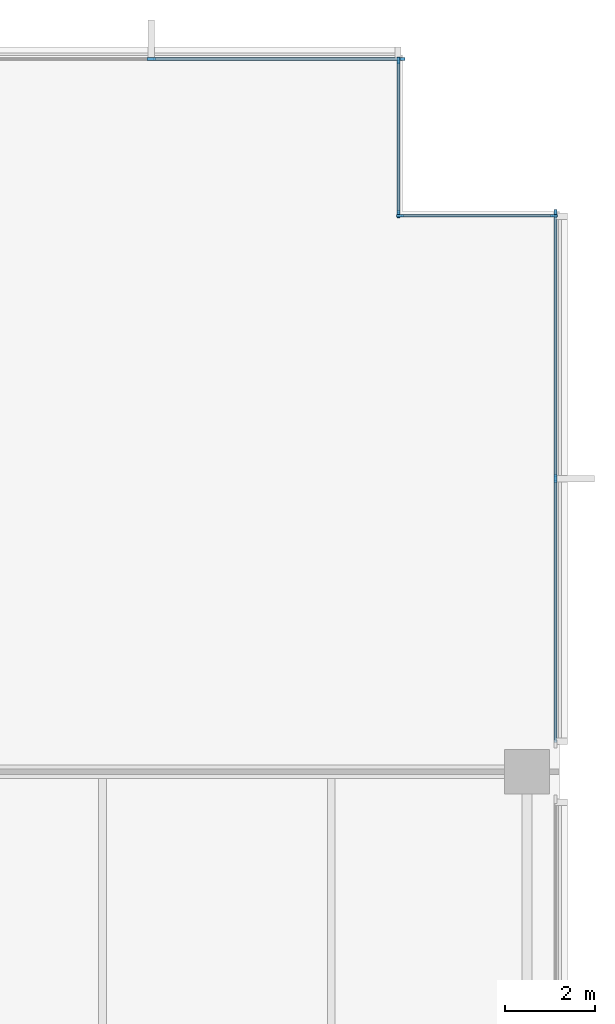
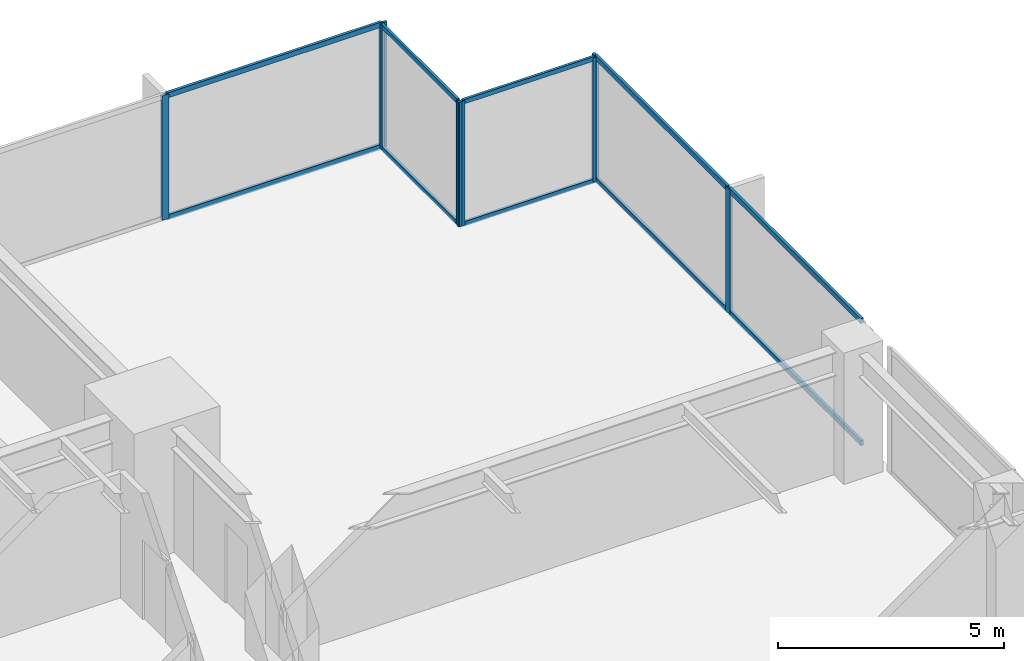
# One storey, part 7 of 16: 18 members, 4 elements without a shape of their own.
"""IFC4 building model written with IfcOpenShell, lengths in metres."""

from ifc_helpers import new_model, si_unit, direction, frame, origin, origin_2d, place, context, subcontext, project, spatial, rectangle, extrude, material, layer, layer_set, material_profile, profile_set, type_object, element, aggregate, save


model = new_model("IFC4")

# Units and contexts
model_context = context("Model", 3, precision=1e-05, world=origin(), true_north=direction((0.0, 1.0)))
body_context = subcontext(model_context, "Body", "Model", "MODEL_VIEW")
ifc_project = project(units=[si_unit("LENGTHUNIT", "METRE"), si_unit("AREAUNIT", "SQUARE_METRE"), si_unit("VOLUMEUNIT", "CUBIC_METRE"), si_unit("PLANEANGLEUNIT", "RADIAN"), si_unit("MASSUNIT", "GRAM", prefix="KILO")], contexts=[model_context])

# Site, building, storey
site_placement = place(None, origin())
site = spatial("IfcSite", under=ifc_project, at=site_placement, CompositionType="ELEMENT")
building_placement = place(site_placement, origin())
building = spatial("IfcBuilding", under=site, at=building_placement, Name="Kinhvarn Gate Tower", CompositionType="ELEMENT")
storey_placement = place(building_placement, frame((0.0, 0.0, 25.60009765625)))
storey = spatial("IfcBuildingStorey", under=building, at=storey_placement, Name="L05", CompositionType="ELEMENT", Elevation=25.60009765625)

# Curtain wall, members
ifc_material = material(Name="Anodised aluminium AW-6063", Category="aluminium")
ifc_layer_1 = layer(ifc_material, 0.179931640625)
ifc_layer_set_1 = layer_set([ifc_layer_1], Name="Anodised aluminium AW-6063")
curtain_wall_type_1 = type_object("IfcCurtainWallType", Name="CW-SYS-4", PredefinedType="NOTDEFINED", material=ifc_layer_set_1)
curtain_wall_1_placement = place(storey_placement, origin())
curtain_wall_1 = element("IfcCurtainWall", 1, at=curtain_wall_1_placement, inside=storey, type_object=curtain_wall_type_1, Name="Curtain Wall CW4 (L05)", PredefinedType="NOTDEFINED")
ifc_material_profile_1 = material_profile(ifc_material, rectangle(XDim=0.06494140625, YDim=0.159912109375, at=origin_2d()), Name="ALU 65x160")
ifc_profile_set_1 = profile_set([ifc_material_profile_1], Name="Anodised aluminium AW-6063")
member_type_1 = type_object("IfcMemberType", Name="CW-MUL-160", PredefinedType="MULLION", material=ifc_profile_set_1)
member_1_placement = place(storey_placement, frame((53.37744140625, 44.409912109375, 0.0), z_axis=(0.0, 0.0, 1.0), x_axis=(0.0, -1.0, 0.0)))
member_1 = element("IfcMember", 2, at=member_1_placement, type_object=member_type_1, Name="CW4 mullion 1", PredefinedType="MULLION", context=body_context, shape_type="SweptSolid", body=[
    extrude(rectangle(XDim=0.06494140625, YDim=0.159912109375, at=origin_2d()), origin(), (0.0, 0.0, 1.0), 3.369873046875),
])
member_2_placement = place(storey_placement, frame((49.9423828125, 44.409912109375, 0.0), z_axis=(0.0, 0.0, 1.0), x_axis=(0.0, -1.0, 0.0)))
member_2 = element("IfcMember", 3, at=member_2_placement, type_object=member_type_1, Name="CW4 mullion 2", PredefinedType="MULLION", context=body_context, shape_type="SweptSolid", body=[
    extrude(rectangle(XDim=0.06494140625, YDim=0.159912109375, at=origin_2d()), origin(), (0.0, 0.0, 1.0), 3.369873046875),
])

curtain_wall_2_placement = place(storey_placement, origin())
curtain_wall_2 = element("IfcCurtainWall", 4, at=curtain_wall_2_placement, inside=storey, type_object=curtain_wall_type_1, Name="Curtain Wall CW4 (L05)", PredefinedType="NOTDEFINED")
member_3_placement = place(storey_placement, frame((49.909912109375, 44.4423828125, 0.0), z_axis=(0.0, 0.0, 1.0), x_axis=(-1.0, 0.0, 0.0)))
member_3 = element("IfcMember", 5, at=member_3_placement, type_object=member_type_1, Name="CW4 mullion 1", PredefinedType="MULLION", context=body_context, shape_type="SweptSolid", body=[
    extrude(rectangle(XDim=0.06494140625, YDim=0.159912109375, at=origin_2d()), origin(), (0.0, 0.0, 1.0), 3.369873046875),
])
member_4_placement = place(storey_placement, frame((49.909912109375, 47.87744140625, 0.0), z_axis=(0.0, 0.0, 1.0), x_axis=(-1.0, 0.0, 0.0)))
member_4 = element("IfcMember", 6, at=member_4_placement, type_object=member_type_1, Name="CW4 mullion 2", PredefinedType="MULLION", context=body_context, shape_type="SweptSolid", body=[
    extrude(rectangle(XDim=0.06494140625, YDim=0.159912109375, at=origin_2d()), origin(), (0.0, 0.0, 1.0), 3.369873046875),
])

ifc_layer_2 = layer(ifc_material, 0.179931640625)
ifc_layer_set_2 = layer_set([ifc_layer_2], Name="Anodised aluminium AW-6063")
curtain_wall_type_2 = type_object("IfcCurtainWallType", Name="CW-SYS-2", PredefinedType="NOTDEFINED", material=ifc_layer_set_2)
curtain_wall_3_placement = place(storey_placement, origin())
curtain_wall_3 = element("IfcCurtainWall", 7, at=curtain_wall_3_placement, inside=storey, type_object=curtain_wall_type_2, Name="Curtain Wall CW2 (L05)", PredefinedType="NOTDEFINED")
ifc_material_profile_2 = material_profile(ifc_material, rectangle(XDim=0.070068359375, YDim=0.179931640625, at=origin_2d()), Name="ALU 70x180")
ifc_profile_set_2 = profile_set([ifc_material_profile_2], Name="Anodised aluminium AW-6063")
member_type_2 = type_object("IfcMemberType", Name="CW-MUL-180", PredefinedType="MULLION", material=ifc_profile_set_2)
member_5_placement = place(storey_placement, frame((49.965087890625, 47.909912109375, 0.0), z_axis=(0.0, 0.0, 1.0), x_axis=(0.0, -1.0, 0.0)))
member_5 = element("IfcMember", 8, at=member_5_placement, type_object=member_type_2, Name="CW2 mullion 1", PredefinedType="MULLION", context=body_context, shape_type="SweptSolid", body=[
    extrude(rectangle(XDim=0.070068359375, YDim=0.179931640625, at=origin_2d()), origin(), (0.0, 0.0, 1.0), 3.369873046875),
])
member_6_placement = place(storey_placement, frame((44.389892578125, 47.909912109375, 0.0), z_axis=(0.0, 0.0, 1.0), x_axis=(0.0, -1.0, 0.0)))
member_6 = element("IfcMember", 9, at=member_6_placement, type_object=member_type_2, Name="CW2 mullion 2", PredefinedType="MULLION", context=body_context, shape_type="SweptSolid", body=[
    extrude(rectangle(XDim=0.070068359375, YDim=0.179931640625, at=origin_2d()), origin(), (0.0, 0.0, 1.0), 3.369873046875),
])

curtain_wall_4_placement = place(storey_placement, origin())
curtain_wall_4 = element("IfcCurtainWall", 10, at=curtain_wall_4_placement, inside=storey, type_object=curtain_wall_type_2, Name="Curtain Wall CW2 (L05)", PredefinedType="NOTDEFINED")
member_7_placement = place(storey_placement, frame((53.409912109375, 38.5400390625, 0.0), z_axis=(0.0, 0.0, 1.0), x_axis=(-1.0, 0.0, 0.0)))
member_7 = element("IfcMember", 11, at=member_7_placement, type_object=member_type_2, Name="CW2 mullion 2", PredefinedType="MULLION", context=body_context, shape_type="SweptSolid", body=[
    extrude(rectangle(XDim=0.070068359375, YDim=0.179931640625, at=origin_2d()), origin(), (0.0, 0.0, 1.0), 3.369873046875),
])
member_8_placement = place(storey_placement, frame((53.409912109375, 44.465087890625, 0.0), z_axis=(0.0, 0.0, 1.0), x_axis=(-1.0, 0.0, 0.0)))
member_8 = element("IfcMember", 12, at=member_8_placement, type_object=member_type_2, Name="CW2 mullion 3", PredefinedType="MULLION", context=body_context, shape_type="SweptSolid", body=[
    extrude(rectangle(XDim=0.070068359375, YDim=0.179931640625, at=origin_2d()), origin(), (0.0, 0.0, 1.0), 3.369873046875),
])

# Member
ifc_material_profile_3 = material_profile(ifc_material, rectangle(XDim=0.06494140625, YDim=0.1201171875, at=origin_2d()), Name="ALU 65x120")
ifc_profile_set_3 = profile_set([ifc_material_profile_3], Name="Anodised aluminium AW-6063")
member_type_3 = type_object("IfcMemberType", Name="CW-TRN-120", PredefinedType="USERDEFINED", material=ifc_profile_set_3)
member_9_placement = place(storey_placement, frame((53.344970703125, 44.409912109375, 0.032470703125), z_axis=(-1.0, 0.0, 0.0), x_axis=(0.0, -1.0, 0.0)))
member_9 = element("IfcMember", 13, at=member_9_placement, type_object=member_type_3, Name="CW4 transom 1.1", ObjectType="TRANSOM", PredefinedType="USERDEFINED", context=body_context, shape_type="SweptSolid", body=[
    extrude(rectangle(XDim=0.06494140625, YDim=0.1201171875, at=origin_2d()), origin(), (0.0, 0.0, 1.0), 3.369873046875),
])

member_10_placement = place(storey_placement, frame((53.344970703125, 44.409912109375, 3.33740234375), z_axis=(-1.0, 0.0, 0.0), x_axis=(0.0, -1.0, 0.0)))
member_10 = element("IfcMember", 14, at=member_10_placement, type_object=member_type_3, Name="CW4 transom 1.2", ObjectType="TRANSOM", PredefinedType="USERDEFINED", context=body_context, shape_type="SweptSolid", body=[
    extrude(rectangle(XDim=0.06494140625, YDim=0.1201171875, at=origin_2d()), origin(), (0.0, 0.0, 1.0), 3.369873046875),
])

aggregate(curtain_wall_1, [member_1, member_2, member_9, member_10])

member_11_placement = place(storey_placement, frame((49.909912109375, 44.47509765625, 0.032470703125), z_axis=(0.0, 1.0, 0.0), x_axis=(-1.0, 0.0, 0.0)))
member_11 = element("IfcMember", 15, at=member_11_placement, type_object=member_type_3, Name="CW4 transom 1.1", ObjectType="TRANSOM", PredefinedType="USERDEFINED", context=body_context, shape_type="SweptSolid", body=[
    extrude(rectangle(XDim=0.06494140625, YDim=0.1201171875, at=origin_2d()), origin(), (0.0, 0.0, 1.0), 3.369873046875),
])

member_12_placement = place(storey_placement, frame((49.909912109375, 44.47509765625, 3.33740234375), z_axis=(0.0, 1.0, 0.0), x_axis=(-1.0, 0.0, 0.0)))
member_12 = element("IfcMember", 16, at=member_12_placement, type_object=member_type_3, Name="CW4 transom 1.2", ObjectType="TRANSOM", PredefinedType="USERDEFINED", context=body_context, shape_type="SweptSolid", body=[
    extrude(rectangle(XDim=0.06494140625, YDim=0.1201171875, at=origin_2d()), origin(), (0.0, 0.0, 1.0), 3.369873046875),
])

aggregate(curtain_wall_2, [member_3, member_4, member_11, member_12])

ifc_material_profile_4 = material_profile(ifc_material, rectangle(XDim=0.070068359375, YDim=0.139892578125, at=origin_2d()), Name="ALU 70x140")
ifc_profile_set_4 = profile_set([ifc_material_profile_4], Name="Anodised aluminium AW-6063")
member_type_4 = type_object("IfcMemberType", Name="CW-TRN-140", PredefinedType="USERDEFINED", material=ifc_profile_set_4)
member_13_placement = place(storey_placement, frame((49.929931640625, 47.909912109375, 0.034912109375), z_axis=(-1.0, 0.0, 0.0), x_axis=(0.0, -1.0, 0.0)))
member_13 = element("IfcMember", 17, at=member_13_placement, type_object=member_type_4, Name="CW2 transom 1.1", ObjectType="TRANSOM", PredefinedType="USERDEFINED", context=body_context, shape_type="SweptSolid", body=[
    extrude(rectangle(XDim=0.070068359375, YDim=0.139892578125, at=origin_2d()), origin(), (0.0, 0.0, 1.0), 5.5048828125),
])

member_14_placement = place(storey_placement, frame((49.929931640625, 47.909912109375, 3.3349609375), z_axis=(-1.0, 0.0, 0.0), x_axis=(0.0, -1.0, 0.0)))
member_14 = element("IfcMember", 18, at=member_14_placement, type_object=member_type_4, Name="CW2 transom 1.2", ObjectType="TRANSOM", PredefinedType="USERDEFINED", context=body_context, shape_type="SweptSolid", body=[
    extrude(rectangle(XDim=0.070068359375, YDim=0.139892578125, at=origin_2d()), origin(), (0.0, 0.0, 1.0), 5.5048828125),
])

aggregate(curtain_wall_3, [member_5, member_6, member_13, member_14])

member_15_placement = place(storey_placement, frame((53.409912109375, 32.64990234375, 0.034912109375), z_axis=(0.0, 1.0, 0.0), x_axis=(-1.0, 0.0, 0.0)))
member_15 = element("IfcMember", 19, at=member_15_placement, type_object=member_type_4, Name="CW2 transom 1.1", ObjectType="TRANSOM", PredefinedType="USERDEFINED", context=body_context, shape_type="SweptSolid", body=[
    extrude(rectangle(XDim=0.070068359375, YDim=0.139892578125, at=origin_2d()), origin(), (0.0, 0.0, 1.0), 5.85498046875),
])

member_16_placement = place(storey_placement, frame((53.409912109375, 32.64990234375, 3.3349609375), z_axis=(0.0, 1.0, 0.0), x_axis=(-1.0, 0.0, 0.0)))
member_16 = element("IfcMember", 20, at=member_16_placement, type_object=member_type_4, Name="CW2 transom 1.2", ObjectType="TRANSOM", PredefinedType="USERDEFINED", context=body_context, shape_type="SweptSolid", body=[
    extrude(rectangle(XDim=0.070068359375, YDim=0.139892578125, at=origin_2d()), origin(), (0.0, 0.0, 1.0), 5.85498046875),
])

member_17_placement = place(storey_placement, frame((53.409912109375, 38.574951171875, 0.034912109375), z_axis=(0.0, 1.0, 0.0), x_axis=(-1.0, 0.0, 0.0)))
member_17 = element("IfcMember", 21, at=member_17_placement, type_object=member_type_4, Name="CW2 transom 2.1", ObjectType="TRANSOM", PredefinedType="USERDEFINED", context=body_context, shape_type="SweptSolid", body=[
    extrude(rectangle(XDim=0.070068359375, YDim=0.139892578125, at=origin_2d()), origin(), (0.0, 0.0, 1.0), 5.85498046875),
])

member_18_placement = place(storey_placement, frame((53.409912109375, 38.574951171875, 3.3349609375), z_axis=(0.0, 1.0, 0.0), x_axis=(-1.0, 0.0, 0.0)))
member_18 = element("IfcMember", 22, at=member_18_placement, type_object=member_type_4, Name="CW2 transom 2.2", ObjectType="TRANSOM", PredefinedType="USERDEFINED", context=body_context, shape_type="SweptSolid", body=[
    extrude(rectangle(XDim=0.070068359375, YDim=0.139892578125, at=origin_2d()), origin(), (0.0, 0.0, 1.0), 5.85498046875),
])

aggregate(curtain_wall_4, [member_7, member_8, member_15, member_16, member_17, member_18])

save(model, "model.ifc")
